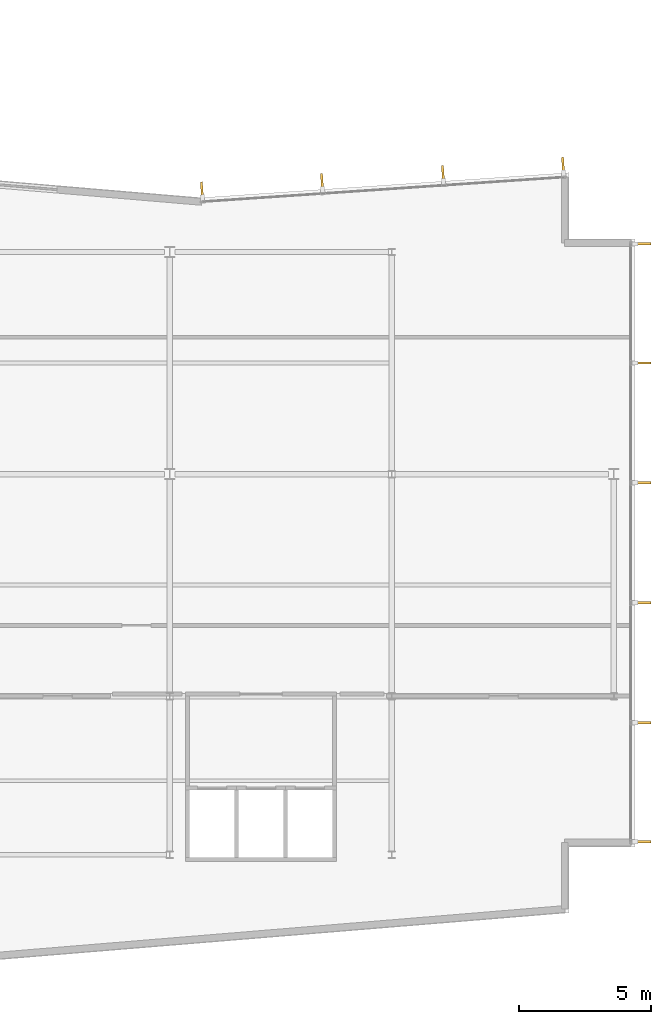
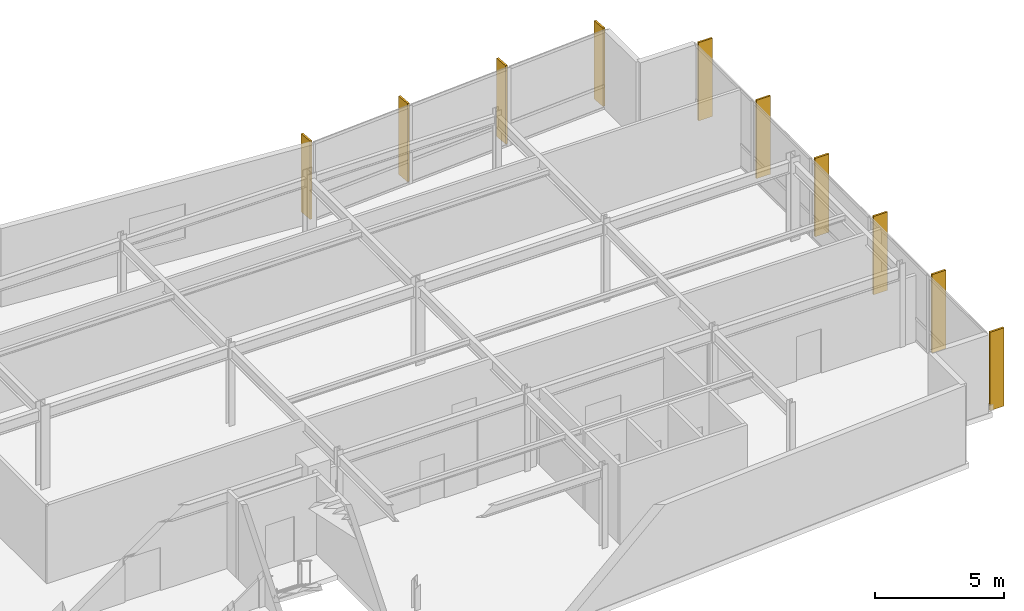
# One storey, part 15 of 16: 10 shading devices.
"""IFC4 building model written with IfcOpenShell, lengths in metres."""

from ifc_helpers import new_model, si_unit, direction, frame, origin, origin_2d, place, context, subcontext, project, spatial, rectangle, extrude, material, layer, layer_set, type_object, element, save


model = new_model("IFC4")

# Units and contexts
model_context = context("Model", 3, precision=1e-05, world=origin(), true_north=direction((0.0, 1.0)))
body_context = subcontext(model_context, "Body", "Model", "MODEL_VIEW")
ifc_project = project(units=[si_unit("LENGTHUNIT", "METRE"), si_unit("AREAUNIT", "SQUARE_METRE"), si_unit("VOLUMEUNIT", "CUBIC_METRE"), si_unit("PLANEANGLEUNIT", "RADIAN"), si_unit("MASSUNIT", "GRAM", prefix="KILO")], contexts=[model_context])

# Site, building, storey
site_placement = place(None, origin())
site = spatial("IfcSite", under=ifc_project, at=site_placement, CompositionType="ELEMENT")
building_placement = place(site_placement, origin())
building = spatial("IfcBuilding", under=site, at=building_placement, Name="Varnakote Quay Hospital", CompositionType="ELEMENT")
storey_placement = place(building_placement, frame((0.0, 0.0, 180.25)))
storey = spatial("IfcBuildingStorey", under=building, at=storey_placement, Name="L44", CompositionType="ELEMENT", Elevation=180.25)

# Shading devices
ifc_material = material(Name="Anodised aluminium 6063-T6 Bronze", Category="aluminium")
ifc_layer = layer(ifc_material, 0.0849609375)
ifc_layer_set = layer_set([ifc_layer], Name="Anodised aluminium 6063-T6 Bronze")
shading_device_type = type_object("IfcShadingDeviceType", Name="SHD-BRONZE-FIN-620", PredefinedType="USERDEFINED", material=ifc_layer_set)
for number, where, z_axis, x_axis, name in (
    (1, (51.489990234375, 6.492431640625, 0.0), (0.0, 0.0, 1.0), (-1.0, 0.0, 0.0), "L44 Anodised Bronze Vertical Shading FIN"),
    (2, (51.489990234375, 10.99609375, 0.0), (0.0, 0.0, 1.0), (-1.0, 0.0, 0.0), "L44 Anodised Bronze Vertical Shading FIN"),
    (3, (51.489990234375, 15.531982421875, 0.0), (0.0, 0.0, 1.0), (-1.0, 0.0, 0.0), "L44 Anodised Bronze Vertical Shading FIN"),
    (4, (51.489990234375, 20.068115234375, 0.0), (0.0, 0.0, 1.0), (-1.0, 0.0, 0.0), "L44 Anodised Bronze Vertical Shading FIN"),
    (5, (51.489990234375, 24.60400390625, 0.0), (0.0, 0.0, 1.0), (-1.0, 0.0, 0.0), "L44 Anodised Bronze Vertical Shading FIN"),
    (6, (51.489990234375, 29.107421875, 0.0), (0.0, 0.0, 1.0), (-1.0, 0.0, 0.0), "L44 Anodised Bronze Vertical Shading FIN"),
    (7, (48.47705078125, 32.07568359375, 0.0), (0.0, 0.0, 1.0), (0.067841160875, -0.997696134548, 0.0), "L44 Anodised Bronze Vertical Shading FIN"),
    (8, (43.934326171875, 31.7666015625, 0.0), (0.0, 0.0, 1.0), (0.067841160875, -0.997696134548, 0.0), "L44 Anodised Bronze Vertical Shading FIN"),
    (9, (39.359375, 31.45556640625, 0.0), (0.0, 0.0, 1.0), (0.067841160875, -0.997696134548, 0.0), "L44 Anodised Bronze Vertical Shading FIN"),
    (10, (34.816650390625, 31.146728515625, 0.0), (0.0, 0.0, 1.0), (0.067841160875, -0.997696134548, 0.0), "L44 Anodised Bronze Vertical Shading FIN"),
):
    element("IfcShadingDevice", number, at=place(storey_placement, frame(where, z_axis=z_axis, x_axis=x_axis)), inside=storey, type_object=shading_device_type, Name=name, ObjectType="FIN", PredefinedType="USERDEFINED", context=body_context, shape_type="SweptSolid", body=[
        extrude(rectangle(XDim=0.6201171875, YDim=0.0849609375, at=origin_2d()), origin(), (0.0, 0.0, 1.0), 3.7099609375),
    ])

save(model, "model.ifc")
